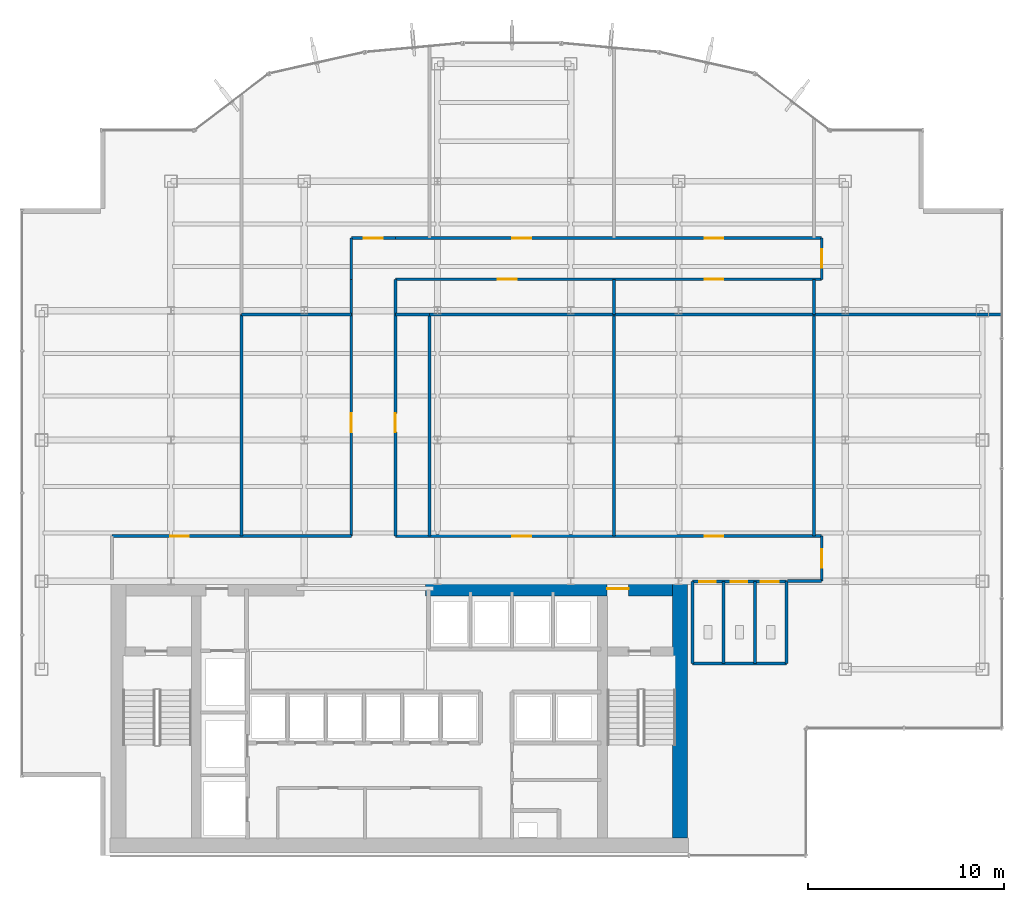
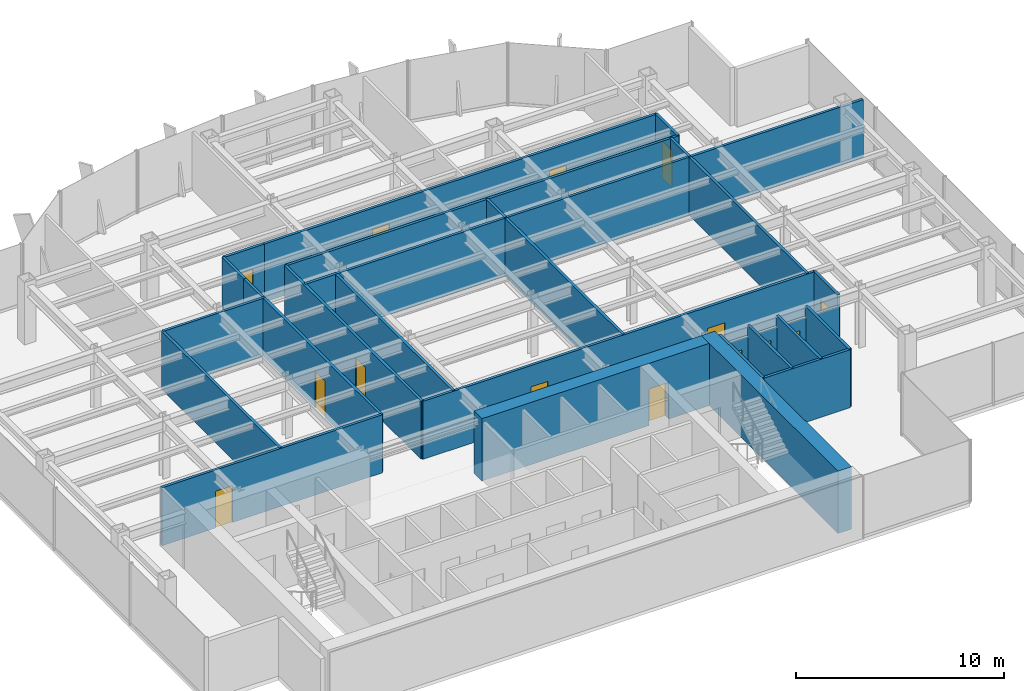
# One storey, part 21 of 25: 30 walls, 16 doors, 16 openings.
"""IFC4 building model written with IfcOpenShell, lengths in metres."""

import ifcopenshell
import ifcopenshell.guid

model = None  # the IFC model being written
_history = None  # IfcOwnerHistory: only IFC2X3 demands one
_inside = {}  # id of a spatial element -> (the spatial element, [elements in it])
_under = {}  # id of a project, library or spatial element -> (it, [spatial elements below it])
_declared = {}  # id of a project -> (the project, [libraries it declares])
_typed = {}  # id of a type object -> (the type object, [elements of that type])
_made_of = {}  # id of a material, layer set ... -> (it, [elements and type objects made of it])


def new_model(schema):
    """Start an empty IFC model of exactly this schema.

    Asked for "IFC4X3", IfcOpenShell would pick the latest addendum, in which some entities
    have other attributes; the version numbers below select the first issue.
    IFC2X3 requires an IfcOwnerHistory on every rooted entity: one is made here for all.
    """
    global model, _history
    if schema == "IFC4X3":
        model = ifcopenshell.file(schema_version=(4, 3, 0, 0))
    else:
        model = ifcopenshell.file(schema=schema)
    _inside.clear()
    _under.clear()
    _declared.clear()
    _typed.clear()
    _made_of.clear()
    _history = None
    if model.schema == "IFC2X3":
        org = make("IfcOrganization", Name="unknown")
        user = make(
            "IfcPersonAndOrganization",
            ThePerson=make("IfcPerson", FamilyName="unknown"),
            TheOrganization=org,
        )
        app = make(
            "IfcApplication",
            ApplicationDeveloper=org,
            Version="unknown",
            ApplicationFullName="unknown",
            ApplicationIdentifier="unknown",
        )
        _history = make(
            "IfcOwnerHistory",
            OwningUser=user,
            OwningApplication=app,
            ChangeAction="ADDED",
            CreationDate=0,
        )
    return model


def make(cls, **values):
    """One entity of the class cls with the attributes given. An attribute that is None is left unset."""
    return model.create_entity(
        cls, **{name: value for name, value in values.items() if value is not None}
    )


def rooted(cls, **values):
    """An entity with a GlobalId (a new one), such as an element, a storey or a relation."""
    return make(cls, GlobalId=ifcopenshell.guid.new(), OwnerHistory=_history, **values)


def si_unit(unit_type, name, prefix=None):
    """IfcSIUnit, for example si_unit("LENGTHUNIT", "METRE", prefix="MILLI")."""
    return make("IfcSIUnit", UnitType=unit_type, Prefix=prefix, Name=name)


def derived_unit(unit_type, elements):
    """IfcDerivedUnit: a product of units, each with its exponent."""
    return make(
        "IfcDerivedUnit",
        Elements=[
            make("IfcDerivedUnitElement", Unit=unit, Exponent=power)
            for unit, power in elements
        ],
        UnitType=unit_type,
    )


def assignment(units):
    """IfcUnitAssignment: the units of a project."""
    return None if units is None else make("IfcUnitAssignment", Units=units)


def point(xyz):
    """IfcCartesianPoint."""
    return None if xyz is None else make("IfcCartesianPoint", Coordinates=xyz)


def direction(xyz):
    """IfcDirection."""
    return None if xyz is None else make("IfcDirection", DirectionRatios=xyz)


def frame(location, z_axis=None, x_axis=None):
    """IfcAxis2Placement3D, a coordinate frame: its origin and axes. An axis left out is left unset."""
    return make(
        "IfcAxis2Placement3D",
        Location=point(location),
        Axis=direction(z_axis),
        RefDirection=direction(x_axis),
    )


def frame_2d(location, x_axis=None):
    """IfcAxis2Placement2D, a coordinate frame in the plane: its origin and x axis."""
    return make(
        "IfcAxis2Placement2D", Location=point(location), RefDirection=direction(x_axis)
    )


def origin():
    """The frame at (0, 0, 0) with its axes left unset."""
    return frame((0.0, 0.0, 0.0))


def place(relative_to, where):
    """IfcLocalPlacement: puts the frame where relative to a parent placement (None: the world)."""
    return make(
        "IfcLocalPlacement", PlacementRelTo=relative_to, RelativePlacement=where
    )


def context(
    kind, dimensions, precision=None, world=None, true_north=None, identifier=None
):
    """IfcGeometricRepresentationContext, for example the 3D "Model" context."""
    return make(
        "IfcGeometricRepresentationContext",
        ContextIdentifier=identifier,
        ContextType=kind,
        CoordinateSpaceDimension=dimensions,
        Precision=precision,
        WorldCoordinateSystem=world,
        TrueNorth=true_north,
    )


def subcontext(parent, identifier, kind, view, scale=None):
    """IfcGeometricRepresentationSubContext, for example "Body" below "Model"."""
    return make(
        "IfcGeometricRepresentationSubContext",
        ContextIdentifier=identifier,
        ContextType=kind,
        ParentContext=parent,
        TargetScale=scale,
        TargetView=view,
    )


def project(units=None, contexts=None):
    """IfcProject with its units and contexts."""
    return rooted(
        "IfcProject",
        Name="project",
        RepresentationContexts=contexts,
        UnitsInContext=assignment(units),
    )


def spatial(cls, under=None, at=None, **own):
    """A site, building, storey or space (cls), placed at a placement, below another one or the project."""
    s = rooted(cls, ObjectPlacement=at, **own)
    if under is not None:
        _under.setdefault(under.id(), (under, []))[1].append(s)
    return s


def profile(cls, at=None, kind="AREA", **sizes):
    """A parametric profile (cls). Its sizes go by their IFC names, for example OverallWidth=200.0."""
    return make(cls, ProfileType=kind, Position=at, **sizes)


def rectangle(**sizes):
    """IfcRectangleProfileDef."""
    return profile("IfcRectangleProfileDef", **sizes)


def extrude(swept, where, along, depth):
    """IfcExtrudedAreaSolid: the profile swept, set in the frame where, extruded along a direction by depth."""
    return make(
        "IfcExtrudedAreaSolid",
        SweptArea=swept,
        Position=where,
        ExtrudedDirection=direction(along),
        Depth=depth,
    )


def shape(context_of_items, identifier, shape_type, items):
    """IfcShapeRepresentation: the items that make up one representation, for example the "Body"."""
    return make(
        "IfcShapeRepresentation",
        ContextOfItems=context_of_items,
        RepresentationIdentifier=identifier,
        RepresentationType=shape_type,
        Items=items,
    )


def source(mapping_origin, context_of_items, identifier, shape_type, items):
    """IfcRepresentationMap: a shape defined once, which mapped items show again and again."""
    return make(
        "IfcRepresentationMap",
        MappingOrigin=mapping_origin,
        MappedRepresentation=shape(context_of_items, identifier, shape_type, items),
    )


def transform(
    local_origin,
    x_axis=None,
    y_axis=None,
    z_axis=None,
    scale=None,
    scale2=None,
    scale3=None,
    uniform=True,
):
    """IfcCartesianTransformationOperator3D, or its non-uniform kind. x_axis, y_axis, z_axis: its Axis1, 2, 3."""
    if uniform:
        return make(
            "IfcCartesianTransformationOperator3D",
            Axis1=direction(x_axis),
            Axis2=direction(y_axis),
            LocalOrigin=point(local_origin),
            Scale=scale,
            Axis3=direction(z_axis),
        )
    return make(
        "IfcCartesianTransformationOperator3DnonUniform",
        Axis1=direction(x_axis),
        Axis2=direction(y_axis),
        LocalOrigin=point(local_origin),
        Scale=scale,
        Axis3=direction(z_axis),
        Scale2=scale2,
        Scale3=scale3,
    )


def mapped(mapping_source, mapping_target):
    """IfcMappedItem: shows the shape of a source again, moved by a transform."""
    return make(
        "IfcMappedItem", MappingSource=mapping_source, MappingTarget=mapping_target
    )


def material(Name=None, Category=None):
    """IfcMaterial."""
    return make("IfcMaterial", Name=Name, Category=Category)


def layer(
    of_material, thickness, ventilated=None, Name=None, Category=None, Priority=None
):
    """IfcMaterialLayer: one layer of a wall or slab, of a material (None: an air gap)."""
    return make(
        "IfcMaterialLayer",
        Material=of_material,
        LayerThickness=thickness,
        IsVentilated=ventilated,
        Name=Name,
        Category=Category,
        Priority=Priority,
    )


def layer_set(layers, Name=None):
    """IfcMaterialLayerSet."""
    return make("IfcMaterialLayerSet", MaterialLayers=layers, LayerSetName=Name)


def made_of(thing, what):
    """Note that an element or type object is made of a material, layer set ...; save() writes the relation."""
    if what is not None:
        _made_of.setdefault(what.id(), (what, []))[1].append(thing)
    return thing


def type_object(cls, material=None, **own):
    """A type object (cls), such as IfcWallType, which elements share."""
    return made_of(rooted(cls, **own), material)


def element(
    cls,
    number,
    at=None,
    inside=None,
    cuts=None,
    type_object=None,
    material=None,
    context=None,
    identifier="Body",
    shape_type=None,
    held_by="IfcProductDefinitionShape",
    body=None,
    shapes=None,
    **own,
):
    """One element of the class cls, such as IfcWall. Its Tag is "e" and its number.

    at: its placement. inside: the storey or other place that contains it. cuts: it is an
    opening in that element (IfcRelVoidsElement). A single representation is given by context,
    identifier, shape_type and body (its items); several are given by shapes. held_by: the class
    of the entity that holds the representations. save() writes the other relations.
    """
    e = rooted(cls, Tag="e%d" % number, ObjectPlacement=at, **own)
    if body is not None:
        shapes = [shape(context, identifier, shape_type, body)]
    if shapes is not None:
        e.Representation = make(held_by, Representations=shapes)
    if inside is not None:
        _inside.setdefault(inside.id(), (inside, []))[1].append(e)
    if cuts is not None:
        rooted(
            "IfcRelVoidsElement", RelatingBuildingElement=cuts, RelatedOpeningElement=e
        )
    if type_object is not None:
        _typed.setdefault(type_object.id(), (type_object, []))[1].append(e)
    return made_of(e, material)


def fill(opening, filler):
    """IfcRelFillsElement: the door or window that sits in an opening."""
    return rooted(
        "IfcRelFillsElement",
        RelatingOpeningElement=opening,
        RelatedBuildingElement=filler,
    )


def aggregate(whole, parts):
    """IfcRelAggregates: a whole, such as a stair, and the parts it consists of."""
    return rooted("IfcRelAggregates", RelatingObject=whole, RelatedObjects=parts)


def save(model, path):
    """Write the relations noted so far, then the file.

    IfcRelAggregates (storeys below a building ...), IfcRelContainedInSpatialStructure (elements
    in a storey), IfcRelDefinesByType, IfcRelAssociatesMaterial and IfcRelDeclares: one each for
    every whole, place, type object, material and project.
    """
    for whole, parts in _under.values():
        aggregate(whole, parts)
    for where, things in _inside.values():
        rooted(
            "IfcRelContainedInSpatialStructure",
            RelatedElements=things,
            RelatingStructure=where,
        )
    for kind, things in _typed.values():
        rooted("IfcRelDefinesByType", RelatedObjects=things, RelatingType=kind)
    for what, things in _made_of.values():
        rooted("IfcRelAssociatesMaterial", RelatedObjects=things, RelatingMaterial=what)
    for by, libraries in _declared.values():
        rooted("IfcRelDeclares", RelatingContext=by, RelatedDefinitions=libraries)
    model.write(path)


model = new_model("IFC4")

# Units and contexts
model_context = context("Model", 3, precision=1e-05, world=origin(), true_north=direction((0.0, 1.0)))
body_context = subcontext(model_context, "Body", "Model", "MODEL_VIEW")
ifc_project = project(units=[si_unit("LENGTHUNIT", "METRE"), si_unit("AREAUNIT", "SQUARE_METRE"), si_unit("VOLUMEUNIT", "CUBIC_METRE"), si_unit("PLANEANGLEUNIT", "RADIAN"), si_unit("MASSUNIT", "GRAM", prefix="KILO"), derived_unit("THERMALTRANSMITTANCEUNIT", [(si_unit("POWERUNIT", "WATT"), 1), (si_unit("LENGTHUNIT", "METRE"), -2), (si_unit("THERMODYNAMICTEMPERATUREUNIT", "KELVIN"), -1)])], contexts=[model_context])

# Site, building, storey
site_placement = place(None, origin())
site = spatial("IfcSite", under=ifc_project, at=site_placement, CompositionType="ELEMENT")
building_placement = place(site_placement, origin())
building = spatial("IfcBuilding", under=site, at=building_placement, Name="Skarnbrae Concourse Arena and Tower", CompositionType="ELEMENT")
storey_placement = place(building_placement, frame((0.0, 0.0, 144.25)))
storey = spatial("IfcBuildingStorey", under=building, at=storey_placement, Name="L36", CompositionType="ELEMENT", Elevation=144.25)

# Wall
ifc_material_1 = material(Name="Concrete 60 MPa (C60/75)", Category="concrete")
ifc_layer_1 = layer(ifc_material_1, 0.75)
ifc_layer_set_1 = layer_set([ifc_layer_1], Name="Concrete 60 MPa (C60/75)")
wall_type_1 = type_object("IfcWallType", Name="WALL-CORE-750-C60", PredefinedType="SHEAR", material=ifc_layer_set_1)
shared_shape_1 = source(origin(), body_context, "Body", "SweptSolid", [
    extrude(rectangle(XDim=13.10009765625, YDim=0.75, at=frame_2d((6.550048828125, 0.0))), origin(), (0.0, 0.0, 1.0), 3.64990234375),
])
wall_1_placement = place(storey_placement, frame((33.574951171875, 0.89990234375, 0.0), z_axis=(0.0, 0.0, 1.0), x_axis=(0.0, 1.0, 0.0)))
element("IfcWall", 1, at=wall_1_placement, inside=storey, type_object=wall_type_1, Name="L36 Rear core shear wall CW-E", PredefinedType="SHEAR", context=body_context, shape_type="MappedRepresentation", body=[
    mapped(shared_shape_1, transform((0.0, 0.0, 0.0))),
])

# Wall, opening, door
shared_shape_2 = source(origin(), body_context, "Body", "SweptSolid", [
    extrude(rectangle(XDim=12.599853515625, YDim=0.75, at=frame_2d((6.2998046875, 0.0))), origin(), (0.0, 0.0, 1.0), 3.64990234375),
])
wall_2_placement = place(storey_placement, frame((20.60009765625, 13.625, 0.0), z_axis=(0.0, 0.0, 1.0), x_axis=(1.0, 0.0, 0.0)))
wall_2 = element("IfcWall", 2, at=wall_2_placement, inside=storey, type_object=wall_type_1, Name="L36 Rear core shear wall CW-NE", PredefinedType="SHEAR", context=body_context, shape_type="MappedRepresentation", body=[
    mapped(shared_shape_2, transform((0.0, 0.0, 0.0))),
])
opening_1_placement = place(wall_2_placement, frame((9.25, 0.0, 0.0)))
opening_1 = element("IfcOpeningElement", 3, at=opening_1_placement, cuts=wall_2, Name="Opening DT-03", PredefinedType="OPENING", context=body_context, shape_type="SweptSolid", body=[
    extrude(rectangle(XDim=1.10009765625, YDim=2.14990234375, at=frame_2d((0.550048828125, 1.074951171875))), frame((0.0, 0.385009765625, 0.0), z_axis=(0.0, -1.0, 0.0), x_axis=(1.0, 0.0, 0.0)), (0.0, 0.0, 1.0), 0.77001953125),
])
ifc_material_2 = material(Name="Steel CSA G40.21 350W", Category="steel")
door_type_1 = type_object("IfcDoorType", Name="DOOR-FIRE-1100-90M", OperationType="NOTDEFINED", PredefinedType="DOOR", material=ifc_material_2)
shared_shape_3 = source(origin(), body_context, "Body", "SweptSolid", [
    extrude(rectangle(XDim=1.10009765625, YDim=2.14990234375, at=frame_2d((0.550048828125, 1.074951171875))), frame((0.0, 0.02490234375, 0.0), z_axis=(0.0, -1.0, 0.0), x_axis=(1.0, 0.0, 0.0)), (0.0, 0.0, 1.0), 0.050048828125),
])
door_1_placement = place(opening_1_placement, origin())
door_1 = element("IfcDoor", 4, at=door_1_placement, inside=storey, type_object=door_type_1, Name="D-1125 Stair ST-2 Vestibule Door", OperationType="SINGLE_SWING_LEFT", OverallHeight=2.14990234375, OverallWidth=1.10009765625, PredefinedType="DOOR", context=body_context, shape_type="MappedRepresentation", body=[
    mapped(shared_shape_3, transform((0.0, 0.0, 0.0))),
])
fill(opening_1, door_1)

# Walls
ifc_material_3 = material(Name="Gypsum board on cold-formed steel studs", Category="steel")
ifc_layer_2 = layer(ifc_material_3, 0.14990234375)
ifc_layer_set_2 = layer_set([ifc_layer_2], Name="Gypsum board on cold-formed steel studs")
wall_type_2 = type_object("IfcWallType", Name="WALL-PART-150", PredefinedType="PARTITIONING", material=ifc_layer_set_2)
shared_shape_4 = source(origin(), body_context, "Body", "SweptSolid", [
    extrude(rectangle(XDim=4.800048828125, YDim=0.14990234375, at=frame_2d((2.39990234375, 0.0))), origin(), (0.0, 0.0, 1.0), 3.39990234375),
])
wall_3_placement = place(storey_placement, frame((34.199951171875, 9.800048828125, 0.0), z_axis=(0.0, 0.0, 1.0), x_axis=(1.0, 0.0, 0.0)))
element("IfcWall", 5, at=wall_3_placement, inside=storey, type_object=wall_type_2, Name="L36 Interior partition wall W-L36-WC-S", PredefinedType="PARTITIONING", context=body_context, shape_type="MappedRepresentation", body=[
    mapped(shared_shape_4, transform((0.0, 0.0, 0.0))),
])
shared_shape_5 = source(origin(), body_context, "Body", "SweptSolid", [
    extrude(rectangle(XDim=4.179931640625, YDim=0.14990234375, at=frame_2d((2.08984375, 0.0))), origin(), (0.0, 0.0, 1.0), 3.39990234375),
])
for number, where, z_axis, x_axis, name in (
    (6, (39.0, 9.800048828125, 0.0), (0.0, 0.0, 1.0), (0.0, 1.0, 0.0), "L36 Interior partition wall W-L36-WC-E"),
    (7, (34.199951171875, 9.800048828125, 0.0), (0.0, 0.0, 1.0), (0.0, 1.0, 0.0), "L36 Interior partition wall W-L36-WC-W"),
    (8, (35.800048828125, 9.800048828125, 0.0), (0.0, 0.0, 1.0), (0.0, 1.0, 0.0), "L36 Interior partition wall W-L36-WC-D1"),
    (9, (37.39990234375, 9.800048828125, 0.0), (0.0, 0.0, 1.0), (0.0, 1.0, 0.0), "L36 Interior partition wall W-L36-WC-D2"),
):
    element("IfcWall", number, at=place(storey_placement, frame(where, z_axis=z_axis, x_axis=x_axis)), inside=storey, type_object=wall_type_2, Name=name, PredefinedType="PARTITIONING", context=body_context, shape_type="MappedRepresentation", body=[
        mapped(shared_shape_5, transform((0.0, 0.0, 0.0))),
    ])

# Wall, opening, door
ifc_layer_3 = layer(ifc_material_3, 0.14990234375)
ifc_layer_set_3 = layer_set([ifc_layer_3], Name="Gypsum board on cold-formed steel studs")
wall_type_3 = type_object("IfcWallType", Name="WALL-PART-150-1HR", PredefinedType="PARTITIONING", material=ifc_layer_set_3)
shared_shape_6 = source(origin(), body_context, "Body", "SweptSolid", [
    extrude(rectangle(XDim=2.25, YDim=0.14990234375, at=frame_2d((1.125, 0.0))), origin(), (0.0, 0.0, 1.0), 3.39990234375),
])
wall_4_placement = place(storey_placement, frame((16.800048828125, 31.5, 0.0), z_axis=(0.0, 0.0, 1.0), x_axis=(1.0, 0.0, 0.0)))
wall_4 = element("IfcWall", 10, at=wall_4_placement, inside=storey, type_object=wall_type_3, Name="L36 Interior partition wall W-L36-COR-05", PredefinedType="PARTITIONING", context=body_context, shape_type="MappedRepresentation", body=[
    mapped(shared_shape_6, transform((0.0, 0.0, 0.0))),
])
opening_2_placement = place(wall_4_placement, frame((0.64990234375, 0.0, 0.0)))
opening_2 = element("IfcOpeningElement", 11, at=opening_2_placement, cuts=wall_4, Name="Opening DT-04", PredefinedType="OPENING", context=body_context, shape_type="SweptSolid", body=[
    extrude(rectangle(XDim=0.949951171875, YDim=2.14990234375, at=frame_2d((0.47509765625, 1.074951171875))), frame((0.0, 0.0849609375, 0.0), z_axis=(0.0, -1.0, 0.0), x_axis=(1.0, 0.0, 0.0)), (0.0, 0.0, 1.0), 0.169921875),
])
door_type_2 = type_object("IfcDoorType", Name="DOOR-INT-950-45M", OperationType="NOTDEFINED", PredefinedType="DOOR", material=ifc_material_2)
shared_shape_7 = source(origin(), body_context, "Body", "SweptSolid", [
    extrude(rectangle(XDim=0.949951171875, YDim=2.14990234375, at=frame_2d((0.47509765625, 1.074951171875))), frame((0.0, 0.02490234375, 0.0), z_axis=(0.0, -1.0, 0.0), x_axis=(1.0, 0.0, 0.0)), (0.0, 0.0, 1.0), 0.050048828125),
])
door_2_placement = place(opening_2_placement, origin())
door_2 = element("IfcDoor", 12, at=door_2_placement, inside=storey, type_object=door_type_2, Name="D-1144 L36 Suite Door 03", OperationType="SINGLE_SWING_RIGHT", OverallHeight=2.14990234375, OverallWidth=0.949951171875, PredefinedType="DOOR", context=body_context, shape_type="MappedRepresentation", body=[
    mapped(shared_shape_7, transform((0.0, 0.0, 0.0))),
])
fill(opening_2, door_2)

# Wall
shared_shape_8 = source(origin(), body_context, "Body", "SweptSolid", [
    extrude(rectangle(XDim=9.580078125, YDim=0.14990234375, at=frame_2d((4.7900390625, 0.0))), origin(), (0.0, 0.0, 1.0), 3.39990234375),
])
wall_5_placement = place(storey_placement, frame((40.39990234375, 27.60009765625, 0.0), z_axis=(0.0, 0.0, 1.0), x_axis=(1.0, 0.0, 0.0)))
element("IfcWall", 13, at=wall_5_placement, inside=storey, type_object=wall_type_2, Name="L36 Interior partition wall W-L36-DEM-25", PredefinedType="PARTITIONING", context=body_context, shape_type="MappedRepresentation", body=[
    mapped(shared_shape_8, transform((0.0, 0.0, 0.0))),
])

# Wall, opening, door
shared_shape_9 = source(origin(), body_context, "Body", "SweptSolid", [
    extrude(rectangle(XDim=12.199951171875, YDim=0.14990234375, at=frame_2d((6.10009765625, 0.0))), origin(), (0.0, 0.0, 1.0), 3.39990234375),
])
wall_6_placement = place(storey_placement, frame((4.60009765625, 16.300048828125, 0.0), z_axis=(0.0, 0.0, 1.0), x_axis=(1.0, 0.0, 0.0)))
wall_6 = element("IfcWall", 14, at=wall_6_placement, inside=storey, type_object=wall_type_3, Name="L36 Interior partition wall W-L36-COR-02", PredefinedType="PARTITIONING", context=body_context, shape_type="MappedRepresentation", body=[
    mapped(shared_shape_9, transform((0.0, 0.0, 0.0))),
])
opening_3_placement = place(wall_6_placement, frame((2.955078125, 0.0, 0.0)))
opening_3 = element("IfcOpeningElement", 15, at=opening_3_placement, cuts=wall_6, Name="Opening DT-04", PredefinedType="OPENING", context=body_context, shape_type="SweptSolid", body=[
    extrude(rectangle(XDim=0.949951171875, YDim=2.14990234375, at=frame_2d((0.47509765625, 1.074951171875))), frame((0.0, 0.0849609375, 0.0), z_axis=(0.0, -1.0, 0.0), x_axis=(1.0, 0.0, 0.0)), (0.0, 0.0, 1.0), 0.169921875),
])
door_3_placement = place(opening_3_placement, origin())
door_3 = element("IfcDoor", 16, at=door_3_placement, inside=storey, type_object=door_type_2, Name="D-1142 L36 Suite Door 01", OperationType="SINGLE_SWING_RIGHT", OverallHeight=2.14990234375, OverallWidth=0.949951171875, PredefinedType="DOOR", context=body_context, shape_type="MappedRepresentation", body=[
    mapped(shared_shape_7, transform((0.0, 0.0, 0.0))),
])
fill(opening_3, door_3)

shared_shape_10 = source(origin(), body_context, "Body", "SweptSolid", [
    extrude(rectangle(XDim=13.099853515625, YDim=0.14990234375, at=frame_2d((6.5498046875, 0.0))), origin(), (0.0, 0.0, 1.0), 3.39990234375),
])
wall_7_placement = place(storey_placement, frame((16.800048828125, 16.300048828125, 0.0), z_axis=(0.0, 0.0, 1.0), x_axis=(0.0, 1.0, 0.0)))
wall_7 = element("IfcWall", 17, at=wall_7_placement, inside=storey, type_object=wall_type_3, Name="L36 Interior partition wall W-L36-COR-03", PredefinedType="PARTITIONING", context=body_context, shape_type="MappedRepresentation", body=[
    mapped(shared_shape_10, transform((0.0, 0.0, 0.0))),
])
opening_4_placement = place(wall_7_placement, frame((5.304931640625, 0.0, 0.0)))
opening_4 = element("IfcOpeningElement", 18, at=opening_4_placement, cuts=wall_7, Name="Opening DT-04", PredefinedType="OPENING", context=body_context, shape_type="SweptSolid", body=[
    extrude(rectangle(XDim=0.949951171875, YDim=2.14990234375, at=frame_2d((0.47509765625, 1.074951171875))), frame((0.0, 0.0849609375, 0.0), z_axis=(0.0, -1.0, 0.0), x_axis=(1.0, 0.0, 0.0)), (0.0, 0.0, 1.0), 0.169921875),
])
door_4_placement = place(opening_4_placement, origin())
door_4 = element("IfcDoor", 19, at=door_4_placement, inside=storey, type_object=door_type_2, Name="D-1143 L36 Suite Door 02", OperationType="SINGLE_SWING_LEFT", OverallHeight=2.14990234375, OverallWidth=0.949951171875, PredefinedType="DOOR", context=body_context, shape_type="MappedRepresentation", body=[
    mapped(shared_shape_7, transform((0.0, 0.0, 0.0))),
])
fill(opening_4, door_4)

wall_8_placement = place(storey_placement, frame((19.050048828125, 29.39990234375, 0.0), z_axis=(0.0, 0.0, 1.0), x_axis=(0.0, -1.0, 0.0)))
wall_8 = element("IfcWall", 20, at=wall_8_placement, inside=storey, type_object=wall_type_3, Name="L36 Interior partition wall W-L36-COR-09", PredefinedType="PARTITIONING", context=body_context, shape_type="MappedRepresentation", body=[
    mapped(shared_shape_10, transform((0.0, 0.0, 0.0))),
])
opening_5_placement = place(wall_8_placement, frame((6.844970703125, 0.0, 0.0)))
opening_5 = element("IfcOpeningElement", 21, at=opening_5_placement, cuts=wall_8, Name="Opening DT-04", PredefinedType="OPENING", context=body_context, shape_type="SweptSolid", body=[
    extrude(rectangle(XDim=0.949951171875, YDim=2.14990234375, at=frame_2d((0.47509765625, 1.074951171875))), frame((0.0, 0.0849609375, 0.0), z_axis=(0.0, -1.0, 0.0), x_axis=(1.0, 0.0, 0.0)), (0.0, 0.0, 1.0), 0.169921875),
])
door_5_placement = place(opening_5_placement, origin())
door_5 = element("IfcDoor", 22, at=door_5_placement, inside=storey, type_object=door_type_2, Name="D-1145 L36 Suite Door 04", OperationType="SINGLE_SWING_LEFT", OverallHeight=2.14990234375, OverallWidth=0.949951171875, PredefinedType="DOOR", context=body_context, shape_type="MappedRepresentation", body=[
    mapped(shared_shape_7, transform((0.0, 0.0, 0.0))),
])
fill(opening_5, door_5)

# Wall
shared_shape_11 = source(origin(), body_context, "Body", "SweptSolid", [
    extrude(rectangle(XDim=2.10009765625, YDim=0.14990234375, at=frame_2d((1.050048828125, 0.0))), origin(), (0.0, 0.0, 1.0), 3.39990234375),
])
wall_9_placement = place(storey_placement, frame((16.800048828125, 29.39990234375, 0.0), z_axis=(0.0, 0.0, 1.0), x_axis=(0.0, 1.0, 0.0)))
element("IfcWall", 23, at=wall_9_placement, inside=storey, type_object=wall_type_3, Name="L36 Interior partition wall W-L36-COR-04", PredefinedType="PARTITIONING", context=body_context, shape_type="MappedRepresentation", body=[
    mapped(shared_shape_11, transform((0.0, 0.0, 0.0))),
])

# Wall, opening, door
wall_10_placement = place(storey_placement, frame((40.800048828125, 31.5, 0.0), z_axis=(0.0, 0.0, 1.0), x_axis=(0.0, -1.0, 0.0)))
wall_10 = element("IfcWall", 24, at=wall_10_placement, inside=storey, type_object=wall_type_3, Name="L36 Interior partition wall W-L36-COR-07", PredefinedType="PARTITIONING", context=body_context, shape_type="MappedRepresentation", body=[
    mapped(shared_shape_11, transform((0.0, 0.0, 0.0))),
])
opening_6_placement = place(wall_10_placement, frame((0.574951171875, 0.0, 0.0)))
opening_6 = element("IfcOpeningElement", 25, at=opening_6_placement, cuts=wall_10, Name="Opening DT-04", PredefinedType="OPENING", context=body_context, shape_type="SweptSolid", body=[
    extrude(rectangle(XDim=0.949951171875, YDim=2.14990234375, at=frame_2d((0.47509765625, 1.074951171875))), frame((0.0, 0.0849609375, 0.0), z_axis=(0.0, -1.0, 0.0), x_axis=(1.0, 0.0, 0.0)), (0.0, 0.0, 1.0), 0.169921875),
])
door_6_placement = place(opening_6_placement, origin())
door_6 = element("IfcDoor", 26, at=door_6_placement, inside=storey, type_object=door_type_2, Name="D-1153 L36 Suite Door 12", OperationType="SINGLE_SWING_LEFT", OverallHeight=2.14990234375, OverallWidth=0.949951171875, PredefinedType="DOOR", context=body_context, shape_type="MappedRepresentation", body=[
    mapped(shared_shape_7, transform((0.0, 0.0, 0.0))),
])
fill(opening_6, door_6)

# Wall, openings, doors
shared_shape_12 = source(origin(), body_context, "Body", "SweptSolid", [
    extrude(rectangle(XDim=21.75, YDim=0.14990234375, at=frame_2d((10.875, 0.0))), origin(), (0.0, 0.0, 1.0), 3.39990234375),
])
wall_11_placement = place(storey_placement, frame((19.050048828125, 31.5, 0.0), z_axis=(0.0, 0.0, 1.0), x_axis=(1.0, 0.0, 0.0)))
wall_11 = element("IfcWall", 27, at=wall_11_placement, inside=storey, type_object=wall_type_3, Name="L36 Interior partition wall W-L36-COR-06", PredefinedType="PARTITIONING", context=body_context, shape_type="MappedRepresentation", body=[
    mapped(shared_shape_12, transform((0.0, 0.0, 0.0))),
])
opening_7_placement = place(wall_11_placement, frame((5.97509765625, 0.0, 0.0)))
opening_7 = element("IfcOpeningElement", 28, at=opening_7_placement, cuts=wall_11, Name="Opening DT-04", PredefinedType="OPENING", context=body_context, shape_type="SweptSolid", body=[
    extrude(rectangle(XDim=0.949951171875, YDim=2.14990234375, at=frame_2d((0.47509765625, 1.074951171875))), frame((0.0, 0.0849609375, 0.0), z_axis=(0.0, -1.0, 0.0), x_axis=(1.0, 0.0, 0.0)), (0.0, 0.0, 1.0), 0.169921875),
])
opening_8_placement = place(wall_11_placement, frame((15.77490234375, 0.0, 0.0)))
opening_8 = element("IfcOpeningElement", 29, at=opening_8_placement, cuts=wall_11, Name="Opening DT-04", PredefinedType="OPENING", context=body_context, shape_type="SweptSolid", body=[
    extrude(rectangle(XDim=0.949951171875, YDim=2.14990234375, at=frame_2d((0.47509765625, 1.074951171875))), frame((0.0, 0.0849609375, 0.0), z_axis=(0.0, -1.0, 0.0), x_axis=(1.0, 0.0, 0.0)), (0.0, 0.0, 1.0), 0.169921875),
])
door_7_placement = place(opening_7_placement, origin())
door_7 = element("IfcDoor", 30, at=door_7_placement, inside=storey, type_object=door_type_2, Name="D-1148 L36 Suite Door 07", OperationType="SINGLE_SWING_RIGHT", OverallHeight=2.14990234375, OverallWidth=0.949951171875, PredefinedType="DOOR", context=body_context, shape_type="MappedRepresentation", body=[
    mapped(shared_shape_7, transform((0.0, 0.0, 0.0))),
])
fill(opening_7, door_7)
door_8_placement = place(opening_8_placement, origin())
door_8 = element("IfcDoor", 31, at=door_8_placement, inside=storey, type_object=door_type_2, Name="D-1149 L36 Suite Door 08", OperationType="SINGLE_SWING_LEFT", OverallHeight=2.14990234375, OverallWidth=0.949951171875, PredefinedType="DOOR", context=body_context, shape_type="MappedRepresentation", body=[
    mapped(shared_shape_7, transform((0.0, 0.0, 0.0))),
])
fill(opening_8, door_8)

wall_12_placement = place(storey_placement, frame((40.800048828125, 29.39990234375, 0.0), z_axis=(0.0, 0.0, 1.0), x_axis=(-1.0, 0.0, 0.0)))
wall_12 = element("IfcWall", 32, at=wall_12_placement, inside=storey, type_object=wall_type_3, Name="L36 Interior partition wall W-L36-COR-08", PredefinedType="PARTITIONING", context=body_context, shape_type="MappedRepresentation", body=[
    mapped(shared_shape_12, transform((0.0, 0.0, 0.0))),
])
opening_9_placement = place(wall_12_placement, frame((15.570068359375, 0.0, 0.0)))
opening_9 = element("IfcOpeningElement", 33, at=opening_9_placement, cuts=wall_12, Name="Opening DT-04", PredefinedType="OPENING", context=body_context, shape_type="SweptSolid", body=[
    extrude(rectangle(XDim=0.949951171875, YDim=2.14990234375, at=frame_2d((0.47509765625, 1.074951171875))), frame((0.0, 0.0849609375, 0.0), z_axis=(0.0, -1.0, 0.0), x_axis=(1.0, 0.0, 0.0)), (0.0, 0.0, 1.0), 0.169921875),
])
opening_10_placement = place(wall_12_placement, frame((5.02490234375, 0.0, 0.0)))
opening_10 = element("IfcOpeningElement", 34, at=opening_10_placement, cuts=wall_12, Name="Opening DT-04", PredefinedType="OPENING", context=body_context, shape_type="SweptSolid", body=[
    extrude(rectangle(XDim=0.949951171875, YDim=2.14990234375, at=frame_2d((0.47509765625, 1.074951171875))), frame((0.0, 0.0849609375, 0.0), z_axis=(0.0, -1.0, 0.0), x_axis=(1.0, 0.0, 0.0)), (0.0, 0.0, 1.0), 0.169921875),
])
door_9_placement = place(opening_9_placement, origin())
door_9 = element("IfcDoor", 35, at=door_9_placement, inside=storey, type_object=door_type_2, Name="D-1146 L36 Suite Door 05", OperationType="SINGLE_SWING_RIGHT", OverallHeight=2.14990234375, OverallWidth=0.949951171875, PredefinedType="DOOR", context=body_context, shape_type="MappedRepresentation", body=[
    mapped(shared_shape_7, transform((0.0, 0.0, 0.0))),
])
fill(opening_9, door_9)
door_10_placement = place(opening_10_placement, origin())
door_10 = element("IfcDoor", 36, at=door_10_placement, inside=storey, type_object=door_type_2, Name="D-1151 L36 Suite Door 10", OperationType="SINGLE_SWING_LEFT", OverallHeight=2.14990234375, OverallWidth=0.949951171875, PredefinedType="DOOR", context=body_context, shape_type="MappedRepresentation", body=[
    mapped(shared_shape_7, transform((0.0, 0.0, 0.0))),
])
fill(opening_10, door_10)

wall_13_placement = place(storey_placement, frame((19.050048828125, 16.300048828125, 0.0), z_axis=(0.0, 0.0, 1.0), x_axis=(1.0, 0.0, 0.0)))
wall_13 = element("IfcWall", 37, at=wall_13_placement, inside=storey, type_object=wall_type_3, Name="L36 Interior partition wall W-L36-COR-10", PredefinedType="PARTITIONING", context=body_context, shape_type="MappedRepresentation", body=[
    mapped(shared_shape_12, transform((0.0, 0.0, 0.0))),
])
opening_11_placement = place(wall_13_placement, frame((5.97509765625, 0.0, 0.0)))
opening_11 = element("IfcOpeningElement", 38, at=opening_11_placement, cuts=wall_13, Name="Opening DT-04", PredefinedType="OPENING", context=body_context, shape_type="SweptSolid", body=[
    extrude(rectangle(XDim=0.949951171875, YDim=2.14990234375, at=frame_2d((0.47509765625, 1.074951171875))), frame((0.0, 0.0849609375, 0.0), z_axis=(0.0, -1.0, 0.0), x_axis=(1.0, 0.0, 0.0)), (0.0, 0.0, 1.0), 0.169921875),
])
opening_12_placement = place(wall_13_placement, frame((15.77490234375, 0.0, 0.0)))
opening_12 = element("IfcOpeningElement", 39, at=opening_12_placement, cuts=wall_13, Name="Opening DT-04", PredefinedType="OPENING", context=body_context, shape_type="SweptSolid", body=[
    extrude(rectangle(XDim=0.949951171875, YDim=2.14990234375, at=frame_2d((0.47509765625, 1.074951171875))), frame((0.0, 0.0849609375, 0.0), z_axis=(0.0, -1.0, 0.0), x_axis=(1.0, 0.0, 0.0)), (0.0, 0.0, 1.0), 0.169921875),
])
door_11_placement = place(opening_11_placement, origin())
door_11 = element("IfcDoor", 40, at=door_11_placement, inside=storey, type_object=door_type_2, Name="D-1147 L36 Suite Door 06", OperationType="SINGLE_SWING_LEFT", OverallHeight=2.14990234375, OverallWidth=0.949951171875, PredefinedType="DOOR", context=body_context, shape_type="MappedRepresentation", body=[
    mapped(shared_shape_7, transform((0.0, 0.0, 0.0))),
])
fill(opening_11, door_11)
door_12_placement = place(opening_12_placement, origin())
door_12 = element("IfcDoor", 41, at=door_12_placement, inside=storey, type_object=door_type_2, Name="D-1150 L36 Suite Door 09", OperationType="SINGLE_SWING_RIGHT", OverallHeight=2.14990234375, OverallWidth=0.949951171875, PredefinedType="DOOR", context=body_context, shape_type="MappedRepresentation", body=[
    mapped(shared_shape_7, transform((0.0, 0.0, 0.0))),
])
fill(opening_12, door_12)

# Wall, opening, door
shared_shape_13 = source(origin(), body_context, "Body", "SweptSolid", [
    extrude(rectangle(XDim=2.300048828125, YDim=0.14990234375, at=frame_2d((1.14990234375, 0.0))), origin(), (0.0, 0.0, 1.0), 3.39990234375),
])
wall_14_placement = place(storey_placement, frame((40.800048828125, 16.300048828125, 0.0), z_axis=(0.0, 0.0, 1.0), x_axis=(0.0, -1.0, 0.0)))
wall_14 = element("IfcWall", 42, at=wall_14_placement, inside=storey, type_object=wall_type_3, Name="L36 Interior partition wall W-L36-COR-11", PredefinedType="PARTITIONING", context=body_context, shape_type="MappedRepresentation", body=[
    mapped(shared_shape_13, transform((0.0, 0.0, 0.0))),
])
opening_13_placement = place(wall_14_placement, frame((0.675048828125, 0.0, 0.0)))
opening_13 = element("IfcOpeningElement", 43, at=opening_13_placement, cuts=wall_14, Name="Opening DT-04", PredefinedType="OPENING", context=body_context, shape_type="SweptSolid", body=[
    extrude(rectangle(XDim=0.949951171875, YDim=2.14990234375, at=frame_2d((0.47509765625, 1.074951171875))), frame((0.0, 0.0849609375, 0.0), z_axis=(0.0, -1.0, 0.0), x_axis=(1.0, 0.0, 0.0)), (0.0, 0.0, 1.0), 0.169921875),
])
door_13_placement = place(opening_13_placement, origin())
door_13 = element("IfcDoor", 44, at=door_13_placement, inside=storey, type_object=door_type_2, Name="D-1152 L36 Suite Door 11", OperationType="SINGLE_SWING_RIGHT", OverallHeight=2.14990234375, OverallWidth=0.949951171875, PredefinedType="DOOR", context=body_context, shape_type="MappedRepresentation", body=[
    mapped(shared_shape_7, transform((0.0, 0.0, 0.0))),
])
fill(opening_13, door_13)

# Wall, openings, doors
shared_shape_14 = source(origin(), body_context, "Body", "SweptSolid", [
    extrude(rectangle(XDim=4.800048828125, YDim=0.14990234375, at=frame_2d((2.39990234375, 0.0))), origin(), (0.0, 0.0, 1.0), 2.760009765625),
])
wall_15_placement = place(storey_placement, frame((34.199951171875, 13.97998046875, 0.0), z_axis=(0.0, 0.0, 1.0), x_axis=(1.0, 0.0, 0.0)))
wall_15 = element("IfcWall", 45, at=wall_15_placement, inside=storey, type_object=wall_type_2, Name="L36 Interior partition wall W-L36-WC-N", PredefinedType="PARTITIONING", context=body_context, shape_type="MappedRepresentation", body=[
    mapped(shared_shape_14, transform((0.0, 0.0, 0.0))),
])
opening_14_placement = place(wall_15_placement, frame((0.35009765625, 0.0, 0.0)))
opening_14 = element("IfcOpeningElement", 46, at=opening_14_placement, cuts=wall_15, Name="Opening DT-06", PredefinedType="OPENING", context=body_context, shape_type="SweptSolid", body=[
    extrude(rectangle(XDim=0.85009765625, YDim=2.10009765625, at=frame_2d((0.425048828125, 1.050048828125))), frame((0.0, 0.0849609375, 0.0), z_axis=(0.0, -1.0, 0.0), x_axis=(1.0, 0.0, 0.0)), (0.0, 0.0, 1.0), 0.169921875),
])
opening_15_placement = place(wall_15_placement, frame((1.949951171875, 0.0, 0.0)))
opening_15 = element("IfcOpeningElement", 47, at=opening_15_placement, cuts=wall_15, Name="Opening DT-06", PredefinedType="OPENING", context=body_context, shape_type="SweptSolid", body=[
    extrude(rectangle(XDim=0.85009765625, YDim=2.10009765625, at=frame_2d((0.425048828125, 1.050048828125))), frame((0.0, 0.0849609375, 0.0), z_axis=(0.0, -1.0, 0.0), x_axis=(1.0, 0.0, 0.0)), (0.0, 0.0, 1.0), 0.169921875),
])
opening_16_placement = place(wall_15_placement, frame((3.5, 0.0, 0.0)))
opening_16 = element("IfcOpeningElement", 48, at=opening_16_placement, cuts=wall_15, Name="Opening DT-05", PredefinedType="OPENING", context=body_context, shape_type="SweptSolid", body=[
    extrude(rectangle(XDim=0.89990234375, YDim=2.10009765625, at=frame_2d((0.449951171875, 1.050048828125))), frame((0.0, 0.0849609375, 0.0), z_axis=(0.0, -1.0, 0.0), x_axis=(1.0, 0.0, 0.0)), (0.0, 0.0, 1.0), 0.169921875),
])
ifc_material_4 = material(Name="Architectural oak veneer timber leaf", Category="wood")
door_type_3 = type_object("IfcDoorType", Name="DOOR-INT-850", OperationType="NOTDEFINED", PredefinedType="DOOR", material=ifc_material_4)
shared_shape_15 = source(origin(), body_context, "Body", "SweptSolid", [
    extrude(rectangle(XDim=0.85009765625, YDim=2.10009765625, at=frame_2d((0.425048828125, 1.050048828125))), frame((0.0, 0.02490234375, 0.0), z_axis=(0.0, -1.0, 0.0), x_axis=(1.0, 0.0, 0.0)), (0.0, 0.0, 1.0), 0.050048828125),
])
door_14_placement = place(opening_14_placement, frame((0.85009765625, 0.0, 0.0), z_axis=(0.0, 0.0, 1.0), x_axis=(-1.0, 0.0, 0.0)))
door_14 = element("IfcDoor", 49, at=door_14_placement, inside=storey, type_object=door_type_3, Name="D-1139 Male Washroom Door", OperationType="SINGLE_SWING_LEFT", OverallHeight=2.10009765625, OverallWidth=0.85009765625, PredefinedType="DOOR", context=body_context, shape_type="MappedRepresentation", body=[
    mapped(shared_shape_15, transform((0.0, 0.0, 0.0))),
])
fill(opening_14, door_14)
door_15_placement = place(opening_15_placement, frame((0.85009765625, 0.0, 0.0), z_axis=(0.0, 0.0, 1.0), x_axis=(-1.0, 0.0, 0.0)))
door_15 = element("IfcDoor", 50, at=door_15_placement, inside=storey, type_object=door_type_3, Name="D-1140 Female Washroom Door", OperationType="SINGLE_SWING_RIGHT", OverallHeight=2.10009765625, OverallWidth=0.85009765625, PredefinedType="DOOR", context=body_context, shape_type="MappedRepresentation", body=[
    mapped(shared_shape_15, transform((0.0, 0.0, 0.0))),
])
fill(opening_15, door_15)
door_type_4 = type_object("IfcDoorType", Name="DOOR-INT-900", OperationType="NOTDEFINED", PredefinedType="DOOR", material=ifc_material_4)
shared_shape_16 = source(origin(), body_context, "Body", "SweptSolid", [
    extrude(rectangle(XDim=0.89990234375, YDim=2.10009765625, at=frame_2d((0.449951171875, 1.050048828125))), frame((0.0, 0.02490234375, 0.0), z_axis=(0.0, -1.0, 0.0), x_axis=(1.0, 0.0, 0.0)), (0.0, 0.0, 1.0), 0.050048828125),
])
door_16_placement = place(opening_16_placement, frame((0.89990234375, 0.0, 0.0), z_axis=(0.0, 0.0, 1.0), x_axis=(-1.0, 0.0, 0.0)))
door_16 = element("IfcDoor", 51, at=door_16_placement, inside=storey, type_object=door_type_4, Name="D-1141 Accessible WC Door", OperationType="SINGLE_SWING_LEFT", OverallHeight=2.10009765625, OverallWidth=0.89990234375, PredefinedType="DOOR", context=body_context, shape_type="MappedRepresentation", body=[
    mapped(shared_shape_16, transform((0.0, 0.0, 0.0))),
])
fill(opening_16, door_16)

# Walls
shared_shape_17 = source(origin(), body_context, "Body", "SweptSolid", [
    extrude(rectangle(XDim=1.75, YDim=0.14990234375, at=frame_2d((0.875, 0.0))), origin(), (0.0, 0.0, 1.0), 2.760009765625),
])
wall_16_placement = place(storey_placement, frame((40.800048828125, 14.0, 0.0), z_axis=(0.0, 0.0, 1.0), x_axis=(-1.0, 0.0, 0.0)))
element("IfcWall", 52, at=wall_16_placement, inside=storey, type_object=wall_type_3, Name="L36 Interior partition wall W-L36-COR-12", PredefinedType="PARTITIONING", context=body_context, shape_type="MappedRepresentation", body=[
    mapped(shared_shape_17, transform((0.0, 0.0, 0.0))),
])
shared_shape_18 = source(origin(), body_context, "Body", "SweptSolid", [
    extrude(rectangle(XDim=11.300048828125, YDim=0.14990234375, at=frame_2d((5.64990234375, 0.0))), origin(), (0.0, 0.0, 1.0), 3.39990234375),
])
for number, where, z_axis, x_axis, name in (
    (53, (11.199951171875, 27.60009765625, 0.0), (0.0, 0.0, 1.0), (0.0, -1.0, 0.0), "L36 Interior partition wall W-L36-DEM-13"),
    (54, (20.800048828125, 27.60009765625, 0.0), (0.0, 0.0, 1.0), (0.0, -1.0, 0.0), "L36 Interior partition wall W-L36-DEM-17"),
    (55, (30.199951171875, 27.60009765625, 0.0), (0.0, 0.0, 1.0), (0.0, -1.0, 0.0), "L36 Interior partition wall W-L36-DEM-20"),
    (56, (40.39990234375, 27.60009765625, 0.0), (0.0, 0.0, 1.0), (0.0, -1.0, 0.0), "L36 Interior partition wall W-L36-DEM-24"),
):
    element("IfcWall", number, at=place(storey_placement, frame(where, z_axis=z_axis, x_axis=x_axis)), inside=storey, type_object=wall_type_2, Name=name, PredefinedType="PARTITIONING", context=body_context, shape_type="MappedRepresentation", body=[
        mapped(shared_shape_18, transform((0.0, 0.0, 0.0))),
    ])
shared_shape_19 = source(origin(), body_context, "Body", "SweptSolid", [
    extrude(rectangle(XDim=5.60009765625, YDim=0.14990234375, at=frame_2d((2.800048828125, 0.0))), origin(), (0.0, 0.0, 1.0), 3.39990234375),
])
wall_17_placement = place(storey_placement, frame((11.199951171875, 27.60009765625, 0.0), z_axis=(0.0, 0.0, 1.0), x_axis=(1.0, 0.0, 0.0)))
element("IfcWall", 57, at=wall_17_placement, inside=storey, type_object=wall_type_2, Name="L36 Interior partition wall W-L36-DEM-14", PredefinedType="PARTITIONING", context=body_context, shape_type="MappedRepresentation", body=[
    mapped(shared_shape_19, transform((0.0, 0.0, 0.0))),
])
shared_shape_20 = source(origin(), body_context, "Body", "SweptSolid", [
    extrude(rectangle(XDim=1.75, YDim=0.14990234375, at=frame_2d((0.875, 0.0))), origin(), (0.0, 0.0, 1.0), 3.39990234375),
])
wall_18_placement = place(storey_placement, frame((19.050048828125, 27.60009765625, 0.0), z_axis=(0.0, 0.0, 1.0), x_axis=(1.0, 0.0, 0.0)))
element("IfcWall", 58, at=wall_18_placement, inside=storey, type_object=wall_type_2, Name="L36 Interior partition wall W-L36-DEM-16", PredefinedType="PARTITIONING", context=body_context, shape_type="MappedRepresentation", body=[
    mapped(shared_shape_20, transform((0.0, 0.0, 0.0))),
])
shared_shape_21 = source(origin(), body_context, "Body", "SweptSolid", [
    extrude(rectangle(XDim=9.39990234375, YDim=0.14990234375, at=frame_2d((4.699951171875, 0.0))), origin(), (0.0, 0.0, 1.0), 3.39990234375),
])
wall_19_placement = place(storey_placement, frame((30.199951171875, 27.60009765625, 0.0), z_axis=(0.0, 0.0, 1.0), x_axis=(-1.0, 0.0, 0.0)))
element("IfcWall", 59, at=wall_19_placement, inside=storey, type_object=wall_type_2, Name="L36 Interior partition wall W-L36-DEM-18", PredefinedType="PARTITIONING", context=body_context, shape_type="MappedRepresentation", body=[
    mapped(shared_shape_21, transform((0.0, 0.0, 0.0))),
])
shared_shape_22 = source(origin(), body_context, "Body", "SweptSolid", [
    extrude(rectangle(XDim=10.199951171875, YDim=0.14990234375, at=frame_2d((5.10009765625, 0.0))), origin(), (0.0, 0.0, 1.0), 3.39990234375),
])
wall_20_placement = place(storey_placement, frame((30.199951171875, 27.60009765625, 0.0), z_axis=(0.0, 0.0, 1.0), x_axis=(1.0, 0.0, 0.0)))
element("IfcWall", 60, at=wall_20_placement, inside=storey, type_object=wall_type_2, Name="L36 Interior partition wall W-L36-DEM-21", PredefinedType="PARTITIONING", context=body_context, shape_type="MappedRepresentation", body=[
    mapped(shared_shape_22, transform((0.0, 0.0, 0.0))),
])
shared_shape_23 = source(origin(), body_context, "Body", "SweptSolid", [
    extrude(rectangle(XDim=1.7998046875, YDim=0.14990234375, at=frame_2d((0.89990234375, 0.0))), origin(), (0.0, 0.0, 1.0), 3.39990234375),
])
for number, where, z_axis, x_axis, name in (
    (61, (30.199951171875, 29.39990234375, 0.0), (0.0, 0.0, 1.0), (0.0, -1.0, 0.0), "L36 Interior partition wall W-L36-DEM-22"),
    (62, (40.39990234375, 29.39990234375, 0.0), (0.0, 0.0, 1.0), (0.0, -1.0, 0.0), "L36 Interior partition wall W-L36-DEM-26"),
):
    element("IfcWall", number, at=place(storey_placement, frame(where, z_axis=z_axis, x_axis=x_axis)), inside=storey, type_object=wall_type_2, Name=name, PredefinedType="PARTITIONING", context=body_context, shape_type="MappedRepresentation", body=[
        mapped(shared_shape_23, transform((0.0, 0.0, 0.0))),
    ])

save(model, "model.ifc")
